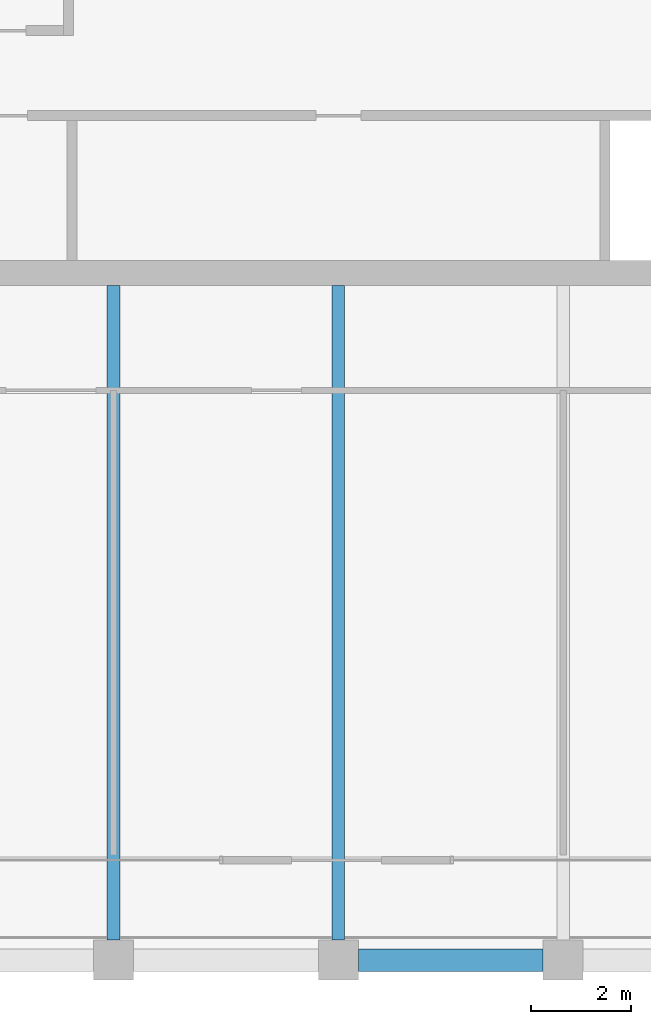
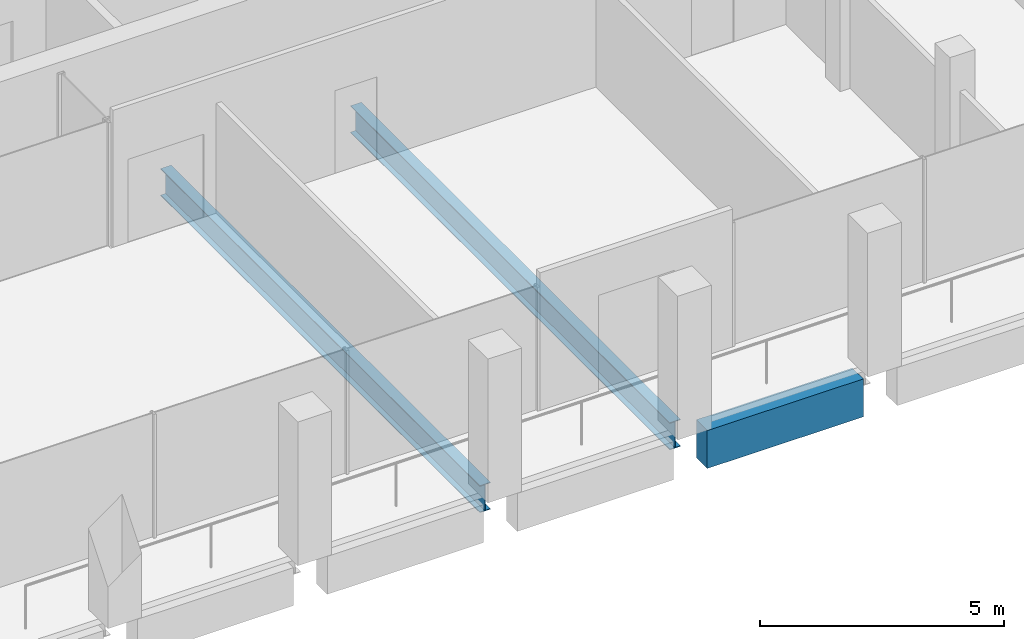
# One storey, part 8 of 30: 3 beams.
"""IFC4 building model written with IfcOpenShell, lengths in metres."""

from ifc_helpers import new_model, si_unit, direction, frame, origin, origin_2d, place, context, subcontext, project, spatial, rectangle, i_section, extrude, material, material_profile, profile_set, type_object, element, save


model = new_model("IFC4")

# Units and contexts
model_context = context("Model", 3, precision=1e-05, world=origin(), true_north=direction((0.0, 1.0)))
body_context = subcontext(model_context, "Body", "Model", "MODEL_VIEW")
ifc_project = project(units=[si_unit("LENGTHUNIT", "METRE"), si_unit("AREAUNIT", "SQUARE_METRE"), si_unit("VOLUMEUNIT", "CUBIC_METRE"), si_unit("PLANEANGLEUNIT", "RADIAN"), si_unit("MASSUNIT", "GRAM", prefix="KILO")], contexts=[model_context])

# Site, building, storey
site_placement = place(None, origin())
site = spatial("IfcSite", under=ifc_project, at=site_placement, CompositionType="ELEMENT")
building_placement = place(site_placement, origin())
building = spatial("IfcBuilding", under=site, at=building_placement, Name="Altepetl Exchange Towers", CompositionType="ELEMENT")
storey_placement = place(building_placement, frame((0.0, 0.0, 220.800048828125)))
storey = spatial("IfcBuildingStorey", under=building, at=storey_placement, Name="L56", CompositionType="ELEMENT", Elevation=220.800048828125)

# Beams
ifc_material_1 = material(Name="Steel S355", Category="steel")
ifc_material_profile_1 = material_profile(ifc_material_1, i_section(OverallWidth=0.2529296875, OverallDepth=0.677978515625, WebThickness=0.01171875, FlangeThickness=0.016357421875, at=origin_2d()), Name="W27X84")
ifc_profile_set_1 = profile_set([ifc_material_profile_1], Name="Steel S355")
beam_type_1 = type_object("IfcBeamType", Name="Floor beam W27X84", PredefinedType="BEAM", material=ifc_profile_set_1)
for number, where, z_axis, x_axis, name in (
    (1, (45.0, 27.39990234375, -0.489013671875), (0.0, 1.0, 0.0), (-1.0, 0.0, 0.0), "bm:A:L56:015"),
    (2, (49.5, 27.39990234375, -0.489013671875), (0.0, 1.0, 0.0), (-1.0, 0.0, 0.0), "bm:A:L56:016"),
):
    element("IfcBeam", number, at=place(storey_placement, frame(where, z_axis=z_axis, x_axis=x_axis)), inside=storey, type_object=beam_type_1, Name=name, PredefinedType="BEAM", context=body_context, shape_type="SweptSolid", body=[
        extrude(i_section(OverallWidth=0.2529296875, OverallDepth=0.677978515625, WebThickness=0.01171875, FlangeThickness=0.016357421875, at=origin_2d()), origin(), (0.0, 0.0, 1.0), 13.10009765625),
    ])
ifc_material_2 = material(Name="Concrete C50/60 precast with cantera blanca facing", Category="concrete")
ifc_material_profile_2 = material_profile(ifc_material_2, rectangle(XDim=0.449951171875, YDim=0.949951171875, at=origin_2d()), Name="450 x 950")
ifc_profile_set_2 = profile_set([ifc_material_profile_2], Name="Concrete C50/60 precast with cantera blanca facing")
beam_type_2 = type_object("IfcBeamType", Name="Spandrel beam 450x950 cantera blanca", PredefinedType="SPANDREL", material=ifc_profile_set_2)
beam_placement = place(storey_placement, frame((49.89990234375, 27.0, -0.625), z_axis=(1.0, 0.0, 0.0), x_axis=(0.0, 1.0, 0.0)))
element("IfcBeam", 3, at=beam_placement, inside=storey, type_object=beam_type_2, Name="sp:A:L56:004", PredefinedType="SPANDREL", context=body_context, shape_type="SweptSolid", body=[
    extrude(rectangle(XDim=0.449951171875, YDim=0.949951171875, at=origin_2d()), origin(), (0.0, 0.0, 1.0), 3.7001953125),
])

save(model, "model.ifc")
